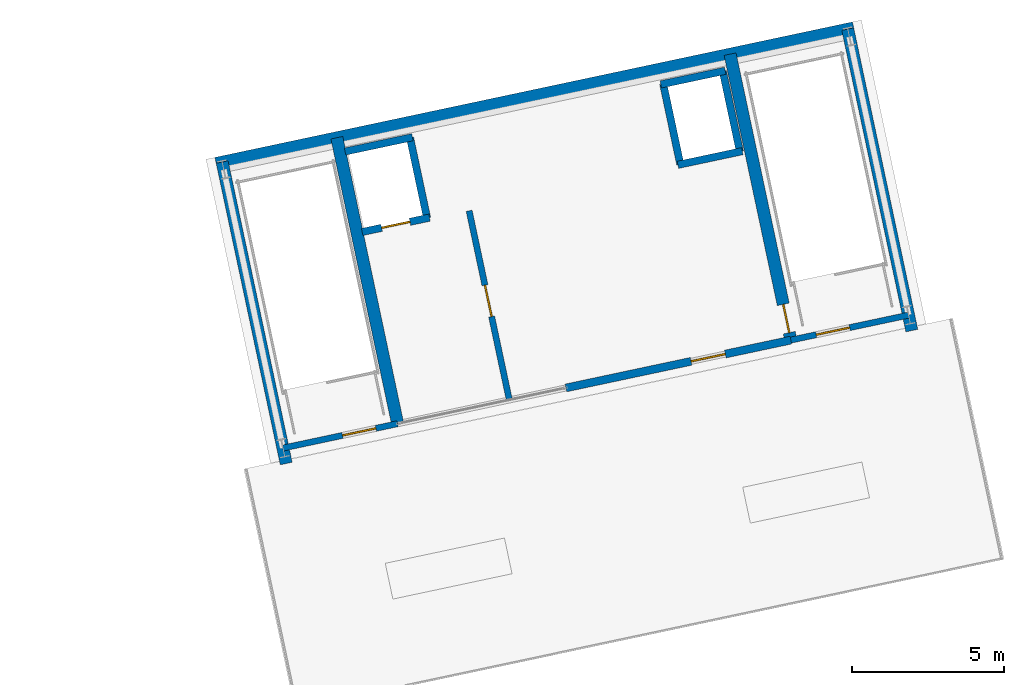
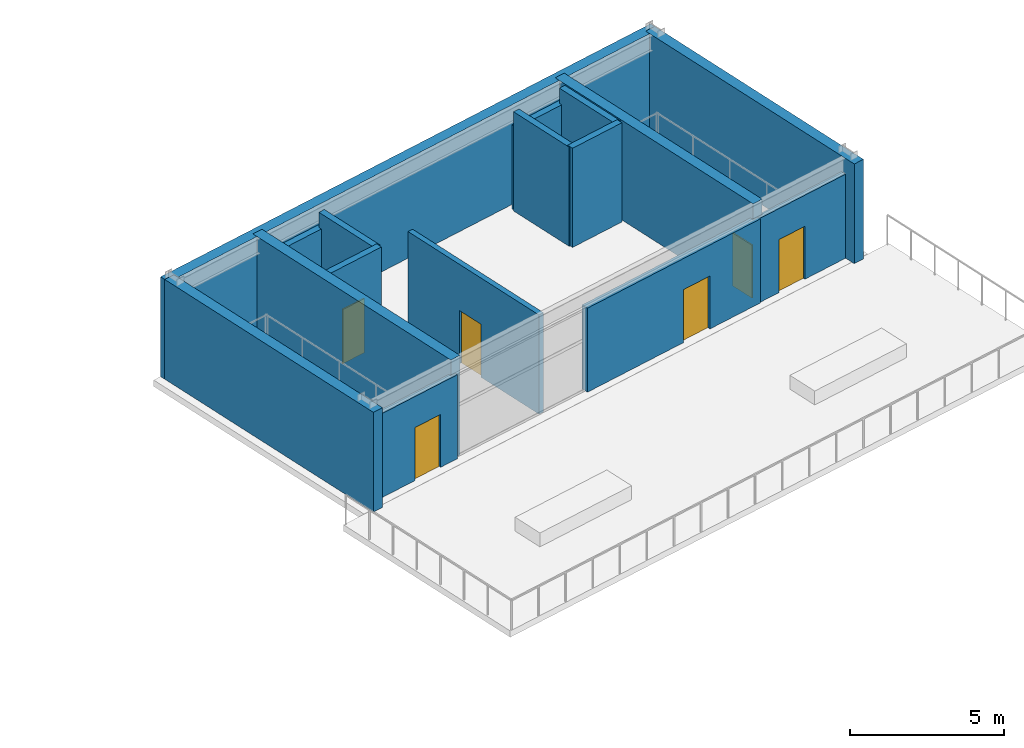
# One storey, part 12 of 16: 16 walls, 6 doors, 6 openings.
"""IFC4 building model written with IfcOpenShell, lengths in metres."""

from ifc_helpers import new_model, si_unit, direction, frame, frame_2d, origin, place, context, subcontext, project, spatial, rectangle, extrude, material, layer, layer_set, type_object, element, fill, save


model = new_model("IFC4")

# Units and contexts
model_context = context("Model", 3, precision=1e-05, world=origin(), true_north=direction((0.0, 1.0)))
body_context = subcontext(model_context, "Body", "Model", "MODEL_VIEW")
ifc_project = project(units=[si_unit("LENGTHUNIT", "METRE"), si_unit("AREAUNIT", "SQUARE_METRE"), si_unit("VOLUMEUNIT", "CUBIC_METRE"), si_unit("PLANEANGLEUNIT", "RADIAN"), si_unit("MASSUNIT", "GRAM", prefix="KILO")], contexts=[model_context])

# Site, building, storey
site_placement = place(None, origin())
site = spatial("IfcSite", under=ifc_project, at=site_placement, CompositionType="ELEMENT")
building_placement = place(site_placement, origin())
building = spatial("IfcBuilding", under=site, at=building_placement, Name="Haevon Station Towers", CompositionType="ELEMENT")
storey_placement = place(building_placement, frame((0.0, 0.0, 235.199951171875)))
storey = spatial("IfcBuildingStorey", under=building, at=storey_placement, Name="L65", CompositionType="ELEMENT", Elevation=235.199951171875)

# Wall, opening, door
ifc_material_1 = material(Name="Gypsum board on steel stud", Category="steel")
ifc_layer_1 = layer(ifc_material_1, 0.199951171875)
ifc_layer_set_1 = layer_set([ifc_layer_1], Name="Gypsum board on steel stud")
wall_type_1 = type_object("IfcWallType", Name="WL-COR200", PredefinedType="PARTITIONING", material=ifc_layer_set_1)
wall_1_placement = place(storey_placement, frame((98.75244140625, 37.4423828125, 0.0), z_axis=(0.0, 0.0, 1.0), x_axis=(0.978143537786, 0.207930804564, 0.0)))
wall_1 = element("IfcWall", 1, at=wall_1_placement, inside=storey, type_object=wall_type_1, Name="WL-ST-ST3-L65", PredefinedType="PARTITIONING", context=body_context, shape_type="SweptSolid", body=[
    extrude(rectangle(XDim=3.85009765625, YDim=0.199951171875, at=frame_2d((1.925048828125, 0.0))), origin(), (0.0, 0.0, 1.0), 3.330078125),
])
opening_1_placement = place(wall_1_placement, frame((2.0, 0.0, 0.0)))
opening_1 = element("IfcOpeningElement", 2, at=opening_1_placement, cuts=wall_1, Name="Opening DR-ST-ST3-L65", PredefinedType="OPENING", context=body_context, shape_type="SweptSolid", body=[
    extrude(rectangle(XDim=1.1201171875, YDim=2.10009765625, at=frame_2d((0.56005859375, 1.050048828125))), frame((0.0, 0.10986328125, 0.0), z_axis=(0.0, -1.0, 0.0), x_axis=(1.0, 0.0, 0.0)), (0.0, 0.0, 1.0), 0.219970703125),
])
ifc_material_2 = material(Name="Engineered oak timber", Category="wood")
door_type_1 = type_object("IfcDoorType", Name="DR-ST-1120", OperationType="NOTDEFINED", PredefinedType="DOOR", material=ifc_material_2)
door_1_placement = place(opening_1_placement, origin())
door_1 = element("IfcDoor", 3, at=door_1_placement, inside=storey, type_object=door_type_1, Name="L65 Escape Stair ST3 Fire Door", OperationType="SINGLE_SWING_LEFT", OverallHeight=2.10009765625, OverallWidth=1.1201171875, PredefinedType="DOOR", context=body_context, shape_type="SweptSolid", body=[
    extrude(rectangle(XDim=1.1201171875, YDim=2.10009765625, at=frame_2d((0.56005859375, 1.050048828125))), frame((0.0, 0.02490234375, 0.0), z_axis=(0.0, -1.0, 0.0), x_axis=(1.0, 0.0, 0.0)), (0.0, 0.0, 1.0), 0.050048828125),
])
fill(opening_1, door_1)

wall_2_placement = place(storey_placement, frame((115.4296875, 40.9873046875, 0.0), z_axis=(0.0, 0.0, 1.0), x_axis=(0.978146596989, 0.207916413008, 0.0)))
wall_2 = element("IfcWall", 4, at=wall_2_placement, inside=storey, type_object=wall_type_1, Name="WL-ST-ST4-L65", PredefinedType="PARTITIONING", context=body_context, shape_type="SweptSolid", body=[
    extrude(rectangle(XDim=3.9501953125, YDim=0.199951171875, at=frame_2d((1.97509765625, 0.0))), origin(), (0.0, 0.0, 1.0), 3.330078125),
])
opening_2_placement = place(wall_2_placement, frame((0.85009765625, 0.0, 0.0)))
opening_2 = element("IfcOpeningElement", 5, at=opening_2_placement, cuts=wall_2, Name="Opening DR-ST-ST4-L65", PredefinedType="OPENING", context=body_context, shape_type="SweptSolid", body=[
    extrude(rectangle(XDim=1.1201171875, YDim=2.10009765625, at=frame_2d((0.56005859375, 1.050048828125))), frame((0.0, 0.10986328125, 0.0), z_axis=(0.0, -1.0, 0.0), x_axis=(1.0, 0.0, 0.0)), (0.0, 0.0, 1.0), 0.219970703125),
])
door_2_placement = place(opening_2_placement, origin())
door_2 = element("IfcDoor", 6, at=door_2_placement, inside=storey, type_object=door_type_1, Name="L65 Escape Stair ST4 Fire Door", OperationType="SINGLE_SWING_RIGHT", OverallHeight=2.10009765625, OverallWidth=1.1201171875, PredefinedType="DOOR", context=body_context, shape_type="SweptSolid", body=[
    extrude(rectangle(XDim=1.1201171875, YDim=2.10009765625, at=frame_2d((0.56005859375, 1.050048828125))), frame((0.0, 0.02490234375, 0.0), z_axis=(0.0, -1.0, 0.0), x_axis=(1.0, 0.0, 0.0)), (0.0, 0.0, 1.0), 0.050048828125),
])
fill(opening_2, door_2)

wall_3_placement = place(storey_placement, frame((106.186279296875, 39.0224609375, 0.0), z_axis=(0.0, 0.0, 1.0), x_axis=(-0.207916691923, 0.978146537703, 0.0)))
wall_3 = element("IfcWall", 7, at=wall_3_placement, inside=storey, type_object=wall_type_1, Name="WL-T2FFL-L65-E", PredefinedType="PARTITIONING", context=body_context, shape_type="SweptSolid", body=[
    extrude(rectangle(XDim=6.35009765625, YDim=0.199951171875, at=frame_2d((3.175048828125, 0.0))), origin(), (0.0, 0.0, 1.0), 3.929931640625),
])
opening_3_placement = place(wall_3_placement, frame((2.800048828125, 0.0, 0.0)))
opening_3 = element("IfcOpeningElement", 8, at=opening_3_placement, cuts=wall_3, Name="Opening DR-T2FFL-L65-E", PredefinedType="OPENING", context=body_context, shape_type="SweptSolid", body=[
    extrude(rectangle(XDim=1.050048828125, YDim=2.10009765625, at=frame_2d((0.52490234375, 1.050048828125))), frame((0.0, 0.10986328125, 0.0), z_axis=(0.0, -1.0, 0.0), x_axis=(1.0, 0.0, 0.0)), (0.0, 0.0, 1.0), 0.219970703125),
])
door_type_2 = type_object("IfcDoorType", Name="DR-FD60-1050", OperationType="NOTDEFINED", PredefinedType="DOOR", material=ifc_material_2)
door_3_placement = place(opening_3_placement, origin())
door_3 = element("IfcDoor", 9, at=door_3_placement, inside=storey, type_object=door_type_2, Name="L65 Tower 2 Firefighting Lift Lobby Door E", OperationType="SINGLE_SWING_LEFT", OverallHeight=2.10009765625, OverallWidth=1.050048828125, PredefinedType="DOOR", context=body_context, shape_type="SweptSolid", body=[
    extrude(rectangle(XDim=1.050048828125, YDim=2.10009765625, at=frame_2d((0.52490234375, 1.050048828125))), frame((0.0, 0.02490234375, 0.0), z_axis=(0.0, -1.0, 0.0), x_axis=(1.0, 0.0, 0.0)), (0.0, 0.0, 1.0), 0.050048828125),
])
fill(opening_3, door_3)

# Walls
ifc_material_3 = material(Name="Concrete C60/75", Category="concrete")
ifc_layer_2 = layer(ifc_material_3, 0.39990234375)
ifc_layer_set_2 = layer_set([ifc_layer_2], Name="Concrete C60/75")
wall_type_2 = type_object("IfcWallType", Name="WL-CR400", PredefinedType="SHEAR", material=ifc_layer_set_2)
wall_4_placement = place(storey_placement, frame((96.560791015625, 46.791015625, 0.0), z_axis=(0.0, 0.0, 1.0), x_axis=(0.978148498705, 0.207907466152, 0.0)))
element("IfcWall", 10, at=wall_4_placement, inside=storey, type_object=wall_type_2, Name="WL-T2CR-L65-N", PredefinedType="SHEAR", context=body_context, shape_type="SweptSolid", body=[
    extrude(rectangle(XDim=21.39990234375, YDim=0.39990234375, at=frame_2d((10.699951171875, 0.0))), origin(), (0.0, 0.0, 1.0), 3.949951171875),
])
wall_5_placement = place(storey_placement, frame((98.8603515625, 36.933837890625, 0.0), z_axis=(0.0, 0.0, 1.0), x_axis=(-0.20790924889, 0.978148119778, 0.0)))
element("IfcWall", 11, at=wall_5_placement, inside=storey, type_object=wall_type_2, Name="WL-T2CR-L65-W", PredefinedType="SHEAR", context=body_context, shape_type="SweptSolid", body=[
    extrude(rectangle(XDim=10.119873046875, YDim=0.39990234375, at=frame_2d((5.06005859375, 0.0))), origin(), (0.0, 0.0, 1.0), 3.949951171875),
])
wall_6_placement = place(storey_placement, frame((119.401611328125, 41.2998046875, 0.0), z_axis=(0.0, 0.0, 1.0), x_axis=(-0.207904342798, 0.978149162575, 0.0)))
element("IfcWall", 12, at=wall_6_placement, inside=storey, type_object=wall_type_2, Name="WL-T2CR-L65-E", PredefinedType="SHEAR", context=body_context, shape_type="SweptSolid", body=[
    extrude(rectangle(XDim=10.1201171875, YDim=0.39990234375, at=frame_2d((5.06005859375, 0.0))), origin(), (0.0, 0.0, 1.0), 3.949951171875),
])
wall_7_placement = place(storey_placement, frame((102.518310546875, 38.242919921875, 0.0), z_axis=(0.0, 0.0, 1.0), x_axis=(-0.207927495108, 0.978144241295, 0.0)))
element("IfcWall", 13, at=wall_7_placement, inside=storey, type_object=wall_type_2, Name="WL-T2CR-L65-M1", PredefinedType="SHEAR", context=body_context, shape_type="SweptSolid", body=[
    extrude(rectangle(XDim=9.599853515625, YDim=0.39990234375, at=frame_2d((4.7998046875, 0.0))), origin(), (0.0, 0.0, 1.0), 3.949951171875),
])

# Wall, opening, door
wall_8_placement = place(storey_placement, frame((115.4296875, 40.9873046875, 0.0), z_axis=(0.0, 0.0, 1.0), x_axis=(-0.207903162969, 0.978149413345, 0.0)))
wall_8 = element("IfcWall", 14, at=wall_8_placement, inside=storey, type_object=wall_type_2, Name="WL-T2CR-L65-M2", PredefinedType="SHEAR", context=body_context, shape_type="SweptSolid", body=[
    extrude(rectangle(XDim=9.599853515625, YDim=0.39990234375, at=frame_2d((4.7998046875, 0.0))), origin(), (0.0, 0.0, 1.0), 3.949951171875),
])
opening_4_placement = place(wall_8_placement, frame((0.25, 0.0, 0.0)))
opening_4 = element("IfcOpeningElement", 15, at=opening_4_placement, cuts=wall_8, Name="Opening DR-ST-ST4-L65-IN", PredefinedType="OPENING", context=body_context, shape_type="SweptSolid", body=[
    extrude(rectangle(XDim=0.949951171875, YDim=2.10009765625, at=frame_2d((0.47509765625, 1.050048828125))), frame((0.0, 0.2099609375, 0.0), z_axis=(0.0, -1.0, 0.0), x_axis=(1.0, 0.0, 0.0)), (0.0, 0.0, 1.0), 0.419921875),
])
door_type_3 = type_object("IfcDoorType", Name="DR-FD60-950", OperationType="NOTDEFINED", PredefinedType="DOOR", material=ifc_material_2)
door_4_placement = place(opening_4_placement, origin())
door_4 = element("IfcDoor", 16, at=door_4_placement, inside=storey, type_object=door_type_3, Name="L65 Botanical Park Lobby Escape Stair ST4 Fire Door", OperationType="SINGLE_SWING_LEFT", OverallHeight=2.10009765625, OverallWidth=0.949951171875, PredefinedType="DOOR", context=body_context, shape_type="SweptSolid", body=[
    extrude(rectangle(XDim=0.949951171875, YDim=2.10009765625, at=frame_2d((0.47509765625, 1.050048828125))), frame((0.0, 0.02490234375, 0.0), z_axis=(0.0, -1.0, 0.0), x_axis=(1.0, 0.0, 0.0)), (0.0, 0.0, 1.0), 0.050048828125),
])
fill(opening_4, door_4)

ifc_material_4 = material(Name="Precast concrete C45/55", Category="concrete")
ifc_layer_3 = layer(ifc_material_4, 0.260009765625)
ifc_layer_set_3 = layer_set([ifc_layer_3], Name="Precast concrete C45/55")
wall_type_3 = type_object("IfcWallType", Name="WL-CRN-PLT260", PredefinedType="SOLIDWALL", material=ifc_layer_set_3)
wall_9_placement = place(storey_placement, frame((115.4296875, 40.9873046875, 0.0), z_axis=(0.0, 0.0, 1.0), x_axis=(-0.978145124288, -0.20792334124, 0.0)))
wall_9 = element("IfcWall", 17, at=wall_9_placement, inside=storey, type_object=wall_type_3, Name="WL-T2-HH-S1", PredefinedType="SOLIDWALL", context=body_context, shape_type="SweptSolid", body=[
    extrude(rectangle(XDim=7.550048828125, YDim=0.260009765625, at=frame_2d((3.77490234375, 0.0))), origin(), (0.0, 0.0, 1.0), 3.330078125),
])
opening_5_placement = place(wall_9_placement, frame((2.199951171875, 0.0, 0.0)))
opening_5 = element("IfcOpeningElement", 18, at=opening_5_placement, cuts=wall_9, Name="Opening DR-T2-BOTPARK-L65", PredefinedType="OPENING", context=body_context, shape_type="SweptSolid", body=[
    extrude(rectangle(XDim=1.14990234375, YDim=2.10009765625, at=frame_2d((0.574951171875, 1.050048828125))), frame((0.0, 0.139892578125, 0.0), z_axis=(0.0, -1.0, 0.0), x_axis=(1.0, 0.0, 0.0)), (0.0, 0.0, 1.0), 0.280029296875),
])
ifc_material_5 = material(Name="Thermally broken anodised aluminium and laminated safety glass", Category="aluminium")
door_type_4 = type_object("IfcDoorType", Name="DR-BALC-1150", OperationType="NOTDEFINED", PredefinedType="DOOR", material=ifc_material_5)
door_5_placement = place(opening_5_placement, origin())
door_5 = element("IfcDoor", 19, at=door_5_placement, inside=storey, type_object=door_type_4, Name="Tower 2 L65 Botanical Park Lounge Door", OperationType="SINGLE_SWING_LEFT", OverallHeight=2.10009765625, OverallWidth=1.14990234375, PredefinedType="DOOR", context=body_context, shape_type="SweptSolid", body=[
    extrude(rectangle(XDim=1.14990234375, YDim=2.10009765625, at=frame_2d((0.574951171875, 1.050048828125))), frame((0.0, 0.02490234375, 0.0), z_axis=(0.0, -1.0, 0.0), x_axis=(1.0, 0.0, 0.0)), (0.0, 0.0, 1.0), 0.050048828125),
])
fill(opening_5, door_5)

ifc_material_6 = material(Name="Concrete C40/50", Category="concrete")
ifc_layer_4 = layer(ifc_material_6, 0.239990234375)
ifc_layer_set_4 = layer_set([ifc_layer_4], Name="Concrete C40/50")
wall_type_4 = type_object("IfcWallType", Name="WL-SHF240", PredefinedType="PARTITIONING", material=ifc_layer_set_4)
wall_10_placement = place(storey_placement, frame((101.353759765625, 44.538330078125, 0.0), z_axis=(0.0, 0.0, 1.0), x_axis=(0.978141002414, 0.207942731049, 0.0)))
wall_10 = element("IfcWall", 20, at=wall_10_placement, inside=storey, type_object=wall_type_4, Name="WL-SHF-FL2-L65", PredefinedType="PARTITIONING", context=body_context, shape_type="SweptSolid", body=[
    extrude(rectangle(XDim=2.260009765625, YDim=0.239990234375, at=frame_2d((1.1298828125, 0.0))), origin(), (0.0, 0.0, 1.0), 3.929931640625),
])
opening_6_placement = place(wall_10_placement, frame((0.655029296875, 0.0, 0.0)))
opening_6 = element("IfcOpeningElement", 21, at=opening_6_placement, cuts=wall_10, Name="Opening LD-FL2-L65", PredefinedType="OPENING", context=body_context, shape_type="SweptSolid", body=[
    extrude(rectangle(XDim=0.949951171875, YDim=2.14990234375, at=frame_2d((0.47509765625, 1.074951171875))), frame((0.0, 0.1298828125, 0.0), z_axis=(0.0, -1.0, 0.0), x_axis=(1.0, 0.0, 0.0)), (0.0, 0.0, 1.0), 0.260009765625),
])
ifc_material_7 = material(Name="Stainless steel and rated core", Category="steel")
door_type_5 = type_object("IfcDoorType", Name="LD-FL950", OperationType="SLIDING_TO_LEFT", PredefinedType="DOOR", material=ifc_material_7)
door_6_placement = place(opening_6_placement, origin())
door_6 = element("IfcDoor", 22, at=door_6_placement, inside=storey, type_object=door_type_5, Name="L65 Lift FL2 Sliding Landing Door", OperationType="SLIDING_TO_LEFT", OverallHeight=2.14990234375, OverallWidth=0.949951171875, PredefinedType="DOOR", context=body_context, shape_type="SweptSolid", body=[
    extrude(rectangle(XDim=0.949951171875, YDim=2.14990234375, at=frame_2d((0.47509765625, 1.074951171875))), frame((0.0, 0.02490234375, 0.0), z_axis=(0.0, -1.0, 0.0), x_axis=(1.0, 0.0, 0.0)), (0.0, 0.0, 1.0), 0.050048828125),
])
fill(opening_6, door_6)

# Walls
wall_11_placement = place(storey_placement, frame((100.79248046875, 47.179443359375, 0.0), z_axis=(0.0, 0.0, 1.0), x_axis=(0.978162968872, 0.207839376268, 0.0)))
element("IfcWall", 23, at=wall_11_placement, inside=storey, type_object=wall_type_4, Name="WL-SHF-FL2-L65-N", PredefinedType="PARTITIONING", context=body_context, shape_type="SweptSolid", body=[
    extrude(rectangle(XDim=2.260009765625, YDim=0.239990234375, at=frame_2d((1.1298828125, 0.0))), origin(), (0.0, 0.0, 1.0), 3.330078125),
])
wall_12_placement = place(storey_placement, frame((103.486328125, 44.99169921875, 0.0), z_axis=(0.0, 0.0, 1.0), x_axis=(-0.207978798957, 0.978133334052, 0.0)))
element("IfcWall", 24, at=wall_12_placement, inside=storey, type_object=wall_type_4, Name="WL-SHF-FL2-L65-E", PredefinedType="PARTITIONING", context=body_context, shape_type="SweptSolid", body=[
    extrude(rectangle(XDim=2.699951171875, YDim=0.239990234375, at=frame_2d((1.35009765625, 0.0))), origin(), (0.0, 0.0, 1.0), 3.929931640625),
])
wall_13_placement = place(storey_placement, frame((111.72216796875, 46.7421875, 0.0), z_axis=(0.0, 0.0, 1.0), x_axis=(0.97813528961, 0.207969601673, 0.0)))
element("IfcWall", 25, at=wall_13_placement, inside=storey, type_object=wall_type_4, Name="WL-SHF-PL10-L65", PredefinedType="PARTITIONING", context=body_context, shape_type="SweptSolid", body=[
    extrude(rectangle(XDim=2.159912109375, YDim=0.239990234375, at=frame_2d((1.080078125, 0.0))), origin(), (0.0, 0.0, 1.0), 3.929931640625),
])
wall_14_placement = place(storey_placement, frame((111.160888671875, 49.38330078125, 0.0), z_axis=(0.0, 0.0, 1.0), x_axis=(0.978158276388, 0.207861459473, 0.0)))
element("IfcWall", 26, at=wall_14_placement, inside=storey, type_object=wall_type_4, Name="WL-SHF-PL10-L65-N", PredefinedType="PARTITIONING", context=body_context, shape_type="SweptSolid", body=[
    extrude(rectangle(XDim=2.159912109375, YDim=0.239990234375, at=frame_2d((1.080078125, 0.0))), origin(), (0.0, 0.0, 1.0), 3.330078125),
])
for number, where, z_axis, x_axis, name in (
    (27, (111.800537109375, 46.7587890625, 0.0), (0.0, 0.0, 1.0), (-0.207960405185, 0.978137244908, 0.0), "WL-SHF-PL10-L65-W"),
    (28, (113.7568359375, 47.174560546875, 0.0), (0.0, 0.0, 1.0), (-0.207960405185, 0.978137244908, 0.0), "WL-SHF-PL10-L65-E"),
):
    element("IfcWall", number, at=place(storey_placement, frame(where, z_axis=z_axis, x_axis=x_axis)), inside=storey, type_object=wall_type_4, Name=name, PredefinedType="PARTITIONING", context=body_context, shape_type="SweptSolid", body=[
        extrude(rectangle(XDim=2.7001953125, YDim=0.239990234375, at=frame_2d((1.35009765625, 0.0))), origin(), (0.0, 0.0, 1.0), 3.929931640625),
    ])

save(model, "model.ifc")
